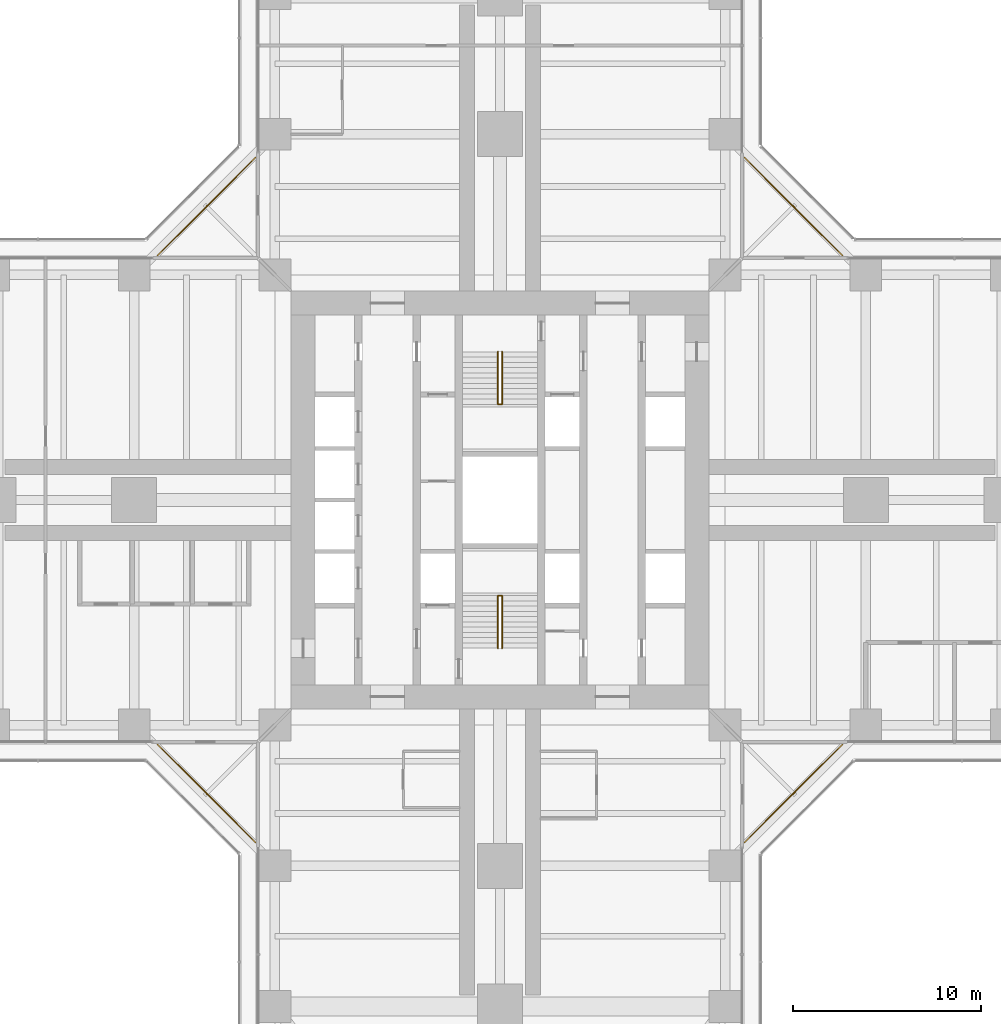
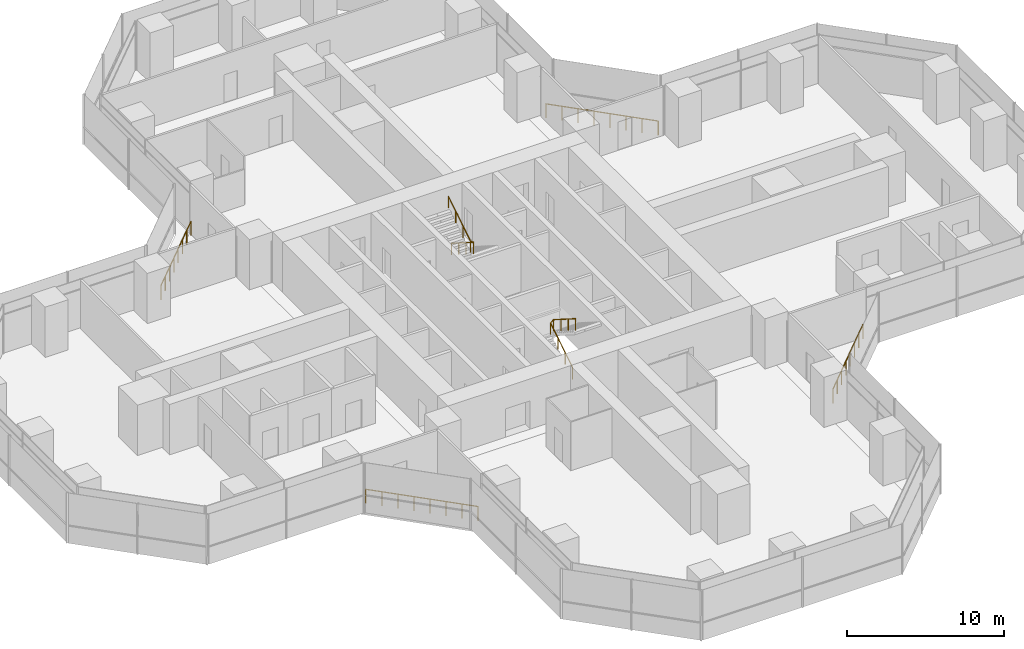
# One storey, part 22 of 22: 6 railings.
"""IFC4 building model written with IfcOpenShell, lengths in metres."""

from ifc_helpers import new_model, si_unit, direction, frame, origin, origin_2d, place, context, subcontext, project, spatial, circle, extrude, material, type_object, element, save


model = new_model("IFC4")

# Units and contexts
model_context = context("Model", 3, precision=1e-05, world=origin(), true_north=direction((0.0, 1.0)))
body_context = subcontext(model_context, "Body", "Model", "MODEL_VIEW")
ifc_project = project(units=[si_unit("LENGTHUNIT", "METRE"), si_unit("AREAUNIT", "SQUARE_METRE"), si_unit("VOLUMEUNIT", "CUBIC_METRE"), si_unit("PLANEANGLEUNIT", "RADIAN"), si_unit("MASSUNIT", "GRAM", prefix="KILO")], contexts=[model_context])

# Site, building, storey
site_placement = place(None, origin())
site = spatial("IfcSite", under=ifc_project, at=site_placement, CompositionType="ELEMENT")
building_placement = place(site_placement, origin())
building = spatial("IfcBuilding", under=site, at=building_placement, Name="Mizan Broadcast Tower", CompositionType="ELEMENT")
storey_placement = place(building_placement, frame((0.0, 0.0, 47.39990234375)))
storey = spatial("IfcBuildingStorey", under=building, at=storey_placement, Name="L08", CompositionType="ELEMENT", Elevation=47.39990234375)

# Railings
ifc_material_1 = material(Name="Stainless steel and glass guard", Category="steel")
railing_type_1 = type_object("IfcRailingType", Name="GUARD 1100", PredefinedType="GUARDRAIL", material=ifc_material_1)
railing_1_placement = place(storey_placement, frame((18.2578125, 13.030029296875, 0.0)))
element("IfcRailing", 1, at=railing_1_placement, inside=storey, type_object=railing_type_1, Name="Winter garden guard L08 E", PredefinedType="GUARDRAIL", context=body_context, shape_type="SweptSolid", body=[
    extrude(circle(Radius=0.02392578125, at=origin_2d()), frame((0.0, 0.0, 1.076171875), z_axis=(-0.707106781187, 0.707106781187, 0.0), x_axis=(-0.707106781187, -0.707106781187, 0.0)), (0.0, 0.0, 1.0), 7.393310546875),
    extrude(circle(Radius=0.02099609375, at=origin_2d()), origin(), (0.0, 0.0, 1.0), 1.052001953125),
    extrude(circle(Radius=0.02099609375, at=origin_2d()), frame((-0.746826171875, 0.746826171875, 0.0)), (0.0, 0.0, 1.0), 1.052001953125),
    extrude(circle(Radius=0.02099609375, at=origin_2d()), frame((-1.49365234375, 1.49365234375, 0.0)), (0.0, 0.0, 1.0), 1.052001953125),
    extrude(circle(Radius=0.02099609375, at=origin_2d()), frame((-2.240478515625, 2.240478515625, 0.0)), (0.0, 0.0, 1.0), 1.052001953125),
    extrude(circle(Radius=0.02099609375, at=origin_2d()), frame((-2.9873046875, 2.9873046875, 0.0)), (0.0, 0.0, 1.0), 1.052001953125),
    extrude(circle(Radius=0.02099609375, at=origin_2d()), frame((-3.734130859375, 3.734130859375, 0.0)), (0.0, 0.0, 1.0), 1.052001953125),
    extrude(circle(Radius=0.02099609375, at=origin_2d()), frame((-4.48095703125, 4.48095703125, 0.0)), (0.0, 0.0, 1.0), 1.052001953125),
    extrude(circle(Radius=0.02099609375, at=origin_2d()), frame((-5.227783203125, 5.227783203125, 0.0)), (0.0, 0.0, 1.0), 1.052001953125),
])
railing_2_placement = place(storey_placement, frame((-13.030029296875, 18.2578125, 0.0)))
element("IfcRailing", 2, at=railing_2_placement, inside=storey, type_object=railing_type_1, Name="Winter garden guard L08 N", PredefinedType="GUARDRAIL", context=body_context, shape_type="SweptSolid", body=[
    extrude(circle(Radius=0.02392578125, at=origin_2d()), frame((0.0, 0.0, 1.076171875), z_axis=(-0.707106781187, -0.707106781187, 0.0), x_axis=(0.707106781187, -0.707106781187, 0.0)), (0.0, 0.0, 1.0), 7.393310546875),
    extrude(circle(Radius=0.02099609375, at=origin_2d()), origin(), (0.0, 0.0, 1.0), 1.052001953125),
    extrude(circle(Radius=0.02099609375, at=origin_2d()), frame((-0.746826171875, -0.746826171875, 0.0)), (0.0, 0.0, 1.0), 1.052001953125),
    extrude(circle(Radius=0.02099609375, at=origin_2d()), frame((-1.49365234375, -1.49365234375, 0.0)), (0.0, 0.0, 1.0), 1.052001953125),
    extrude(circle(Radius=0.02099609375, at=origin_2d()), frame((-2.240478515625, -2.240478515625, 0.0)), (0.0, 0.0, 1.0), 1.052001953125),
    extrude(circle(Radius=0.02099609375, at=origin_2d()), frame((-2.9873046875, -2.9873046875, 0.0)), (0.0, 0.0, 1.0), 1.052001953125),
    extrude(circle(Radius=0.02099609375, at=origin_2d()), frame((-3.734130859375, -3.734130859375, 0.0)), (0.0, 0.0, 1.0), 1.052001953125),
    extrude(circle(Radius=0.02099609375, at=origin_2d()), frame((-4.48095703125, -4.48095703125, 0.0)), (0.0, 0.0, 1.0), 1.052001953125),
    extrude(circle(Radius=0.02099609375, at=origin_2d()), frame((-5.227783203125, -5.227783203125, 0.0)), (0.0, 0.0, 1.0), 1.052001953125),
])
railing_3_placement = place(storey_placement, frame((-18.2578125, -13.030029296875, 0.0)))
element("IfcRailing", 3, at=railing_3_placement, inside=storey, type_object=railing_type_1, Name="Winter garden guard L08 W", PredefinedType="GUARDRAIL", context=body_context, shape_type="SweptSolid", body=[
    extrude(circle(Radius=0.02392578125, at=origin_2d()), frame((0.0, 0.0, 1.076171875), z_axis=(0.707106781187, -0.707106781187, 0.0), x_axis=(0.707106781187, 0.707106781187, 0.0)), (0.0, 0.0, 1.0), 7.393310546875),
    extrude(circle(Radius=0.02099609375, at=origin_2d()), origin(), (0.0, 0.0, 1.0), 1.052001953125),
    extrude(circle(Radius=0.02099609375, at=origin_2d()), frame((0.746826171875, -0.746826171875, 0.0)), (0.0, 0.0, 1.0), 1.052001953125),
    extrude(circle(Radius=0.02099609375, at=origin_2d()), frame((1.49365234375, -1.49365234375, 0.0)), (0.0, 0.0, 1.0), 1.052001953125),
    extrude(circle(Radius=0.02099609375, at=origin_2d()), frame((2.240478515625, -2.240478515625, 0.0)), (0.0, 0.0, 1.0), 1.052001953125),
    extrude(circle(Radius=0.02099609375, at=origin_2d()), frame((2.9873046875, -2.9873046875, 0.0)), (0.0, 0.0, 1.0), 1.052001953125),
    extrude(circle(Radius=0.02099609375, at=origin_2d()), frame((3.734130859375, -3.734130859375, 0.0)), (0.0, 0.0, 1.0), 1.052001953125),
    extrude(circle(Radius=0.02099609375, at=origin_2d()), frame((4.48095703125, -4.48095703125, 0.0)), (0.0, 0.0, 1.0), 1.052001953125),
    extrude(circle(Radius=0.02099609375, at=origin_2d()), frame((5.227783203125, -5.227783203125, 0.0)), (0.0, 0.0, 1.0), 1.052001953125),
])
railing_4_placement = place(storey_placement, frame((13.030029296875, -18.2578125, 0.0)))
element("IfcRailing", 4, at=railing_4_placement, inside=storey, type_object=railing_type_1, Name="Winter garden guard L08 S", PredefinedType="GUARDRAIL", context=body_context, shape_type="SweptSolid", body=[
    extrude(circle(Radius=0.02392578125, at=origin_2d()), frame((0.0, 0.0, 1.076171875), z_axis=(0.707106781187, 0.707106781187, 0.0), x_axis=(-0.707106781187, 0.707106781187, 0.0)), (0.0, 0.0, 1.0), 7.393310546875),
    extrude(circle(Radius=0.02099609375, at=origin_2d()), origin(), (0.0, 0.0, 1.0), 1.052001953125),
    extrude(circle(Radius=0.02099609375, at=origin_2d()), frame((0.746826171875, 0.746826171875, 0.0)), (0.0, 0.0, 1.0), 1.052001953125),
    extrude(circle(Radius=0.02099609375, at=origin_2d()), frame((1.49365234375, 1.49365234375, 0.0)), (0.0, 0.0, 1.0), 1.052001953125),
    extrude(circle(Radius=0.02099609375, at=origin_2d()), frame((2.240478515625, 2.240478515625, 0.0)), (0.0, 0.0, 1.0), 1.052001953125),
    extrude(circle(Radius=0.02099609375, at=origin_2d()), frame((2.9873046875, 2.9873046875, 0.0)), (0.0, 0.0, 1.0), 1.052001953125),
    extrude(circle(Radius=0.02099609375, at=origin_2d()), frame((3.734130859375, 3.734130859375, 0.0)), (0.0, 0.0, 1.0), 1.052001953125),
    extrude(circle(Radius=0.02099609375, at=origin_2d()), frame((4.48095703125, 4.48095703125, 0.0)), (0.0, 0.0, 1.0), 1.052001953125),
    extrude(circle(Radius=0.02099609375, at=origin_2d()), frame((5.227783203125, 5.227783203125, 0.0)), (0.0, 0.0, 1.0), 1.052001953125),
])
ifc_material_2 = material(Name="Stainless steel", Category="steel")
railing_type_2 = type_object("IfcRailingType", Name="HANDRAIL 50", PredefinedType="HANDRAIL", material=ifc_material_2)
railing_5_placement = place(storey_placement, frame((-0.110107421875, -7.89990234375, 0.177490234375)))
element("IfcRailing", 5, at=railing_5_placement, inside=storey, type_object=railing_type_2, Name="Stair A handrail", PredefinedType="HANDRAIL", context=body_context, shape_type="SweptSolid", body=[
    extrude(circle(Radius=0.02392578125, at=origin_2d()), frame((0.0, 0.0, 0.8759765625), z_axis=(0.0, 0.844887892834, 0.53494340686), x_axis=(-1.0, 0.0, 0.0)), (0.0, 0.0, 1.0), 3.313720703125),
    extrude(circle(Radius=0.02392578125, at=origin_2d()), frame((0.0, 2.7998046875, 2.6484375), z_axis=(0.779011685263, 0.0, 0.627009405212), x_axis=(0.0, 1.0, 0.0)), (0.0, 0.0, 1.0), 0.28271484375),
    extrude(circle(Radius=0.02392578125, at=origin_2d()), frame((0.22021484375, 2.7998046875, 2.82568359375), z_axis=(0.0, -0.844887892834, 0.53494340686), x_axis=(1.0, 0.0, 0.0)), (0.0, 0.0, 1.0), 3.313720703125),
    extrude(circle(Radius=0.02099609375, at=origin_2d()), origin(), (0.0, 0.0, 1.0), 0.851806640625),
    extrude(circle(Radius=0.02099609375, at=origin_2d()), frame((0.0, 0.933349609375, 0.5908203125)), (0.0, 0.0, 1.0), 0.851806640625),
    extrude(circle(Radius=0.02099609375, at=origin_2d()), frame((0.0, 1.866455078125, 1.181884765625)), (0.0, 0.0, 1.0), 0.851806640625),
    extrude(circle(Radius=0.02099609375, at=origin_2d()), frame((0.0, 2.7998046875, 1.772705078125)), (0.0, 0.0, 1.0), 0.851806640625),
    extrude(circle(Radius=0.02099609375, at=origin_2d()), frame((0.22021484375, 2.7998046875, 1.949951171875)), (0.0, 0.0, 1.0), 0.851806640625),
    extrude(circle(Radius=0.02099609375, at=origin_2d()), frame((0.22021484375, 1.866455078125, 2.540771484375)), (0.0, 0.0, 1.0), 0.851806640625),
    extrude(circle(Radius=0.02099609375, at=origin_2d()), frame((0.22021484375, 0.933349609375, 3.1318359375)), (0.0, 0.0, 1.0), 0.851806640625),
    extrude(circle(Radius=0.02099609375, at=origin_2d()), frame((0.22021484375, 0.0, 3.72265625)), (0.0, 0.0, 1.0), 0.851806640625),
])
railing_6_placement = place(storey_placement, frame((0.110107421875, 7.89990234375, 0.177490234375)))
element("IfcRailing", 6, at=railing_6_placement, inside=storey, type_object=railing_type_2, Name="Stair B handrail", PredefinedType="HANDRAIL", context=body_context, shape_type="SweptSolid", body=[
    extrude(circle(Radius=0.02392578125, at=origin_2d()), frame((0.0, 0.0, 0.8759765625), z_axis=(0.0, -0.844887892834, 0.53494340686), x_axis=(1.0, 0.0, 0.0)), (0.0, 0.0, 1.0), 3.313720703125),
    extrude(circle(Radius=0.02392578125, at=origin_2d()), frame((0.0, -2.7998046875, 2.6484375), z_axis=(-0.779011685263, 0.0, 0.627009405212), x_axis=(0.0, -1.0, 0.0)), (0.0, 0.0, 1.0), 0.28271484375),
    extrude(circle(Radius=0.02392578125, at=origin_2d()), frame((-0.22021484375, -2.7998046875, 2.82568359375), z_axis=(0.0, 0.844887892834, 0.53494340686), x_axis=(-1.0, 0.0, 0.0)), (0.0, 0.0, 1.0), 3.313720703125),
    extrude(circle(Radius=0.02099609375, at=origin_2d()), origin(), (0.0, 0.0, 1.0), 0.851806640625),
    extrude(circle(Radius=0.02099609375, at=origin_2d()), frame((0.0, -0.933349609375, 0.5908203125)), (0.0, 0.0, 1.0), 0.851806640625),
    extrude(circle(Radius=0.02099609375, at=origin_2d()), frame((0.0, -1.866455078125, 1.181884765625)), (0.0, 0.0, 1.0), 0.851806640625),
    extrude(circle(Radius=0.02099609375, at=origin_2d()), frame((0.0, -2.7998046875, 1.772705078125)), (0.0, 0.0, 1.0), 0.851806640625),
    extrude(circle(Radius=0.02099609375, at=origin_2d()), frame((-0.22021484375, -2.7998046875, 1.949951171875)), (0.0, 0.0, 1.0), 0.851806640625),
    extrude(circle(Radius=0.02099609375, at=origin_2d()), frame((-0.22021484375, -1.866455078125, 2.540771484375)), (0.0, 0.0, 1.0), 0.851806640625),
    extrude(circle(Radius=0.02099609375, at=origin_2d()), frame((-0.22021484375, -0.933349609375, 3.1318359375)), (0.0, 0.0, 1.0), 0.851806640625),
    extrude(circle(Radius=0.02099609375, at=origin_2d()), frame((-0.22021484375, 0.0, 3.72265625)), (0.0, 0.0, 1.0), 0.851806640625),
])

save(model, "model.ifc")
